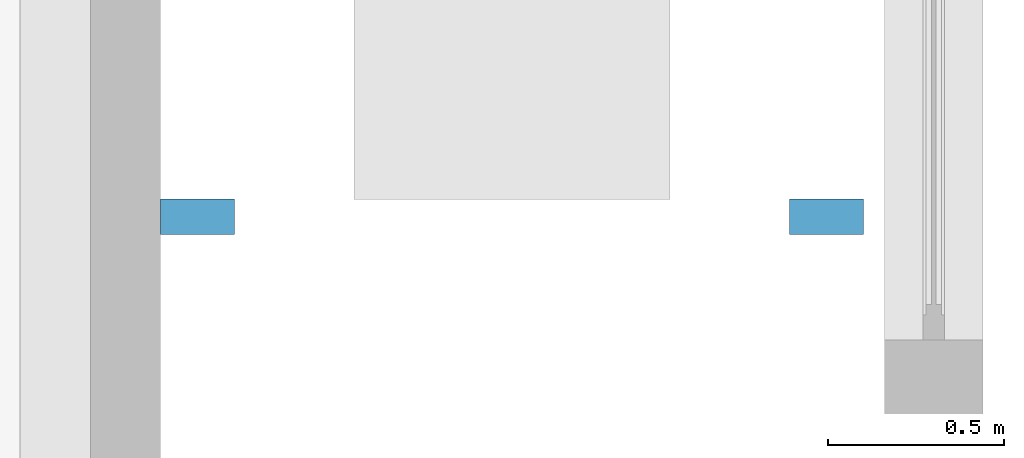
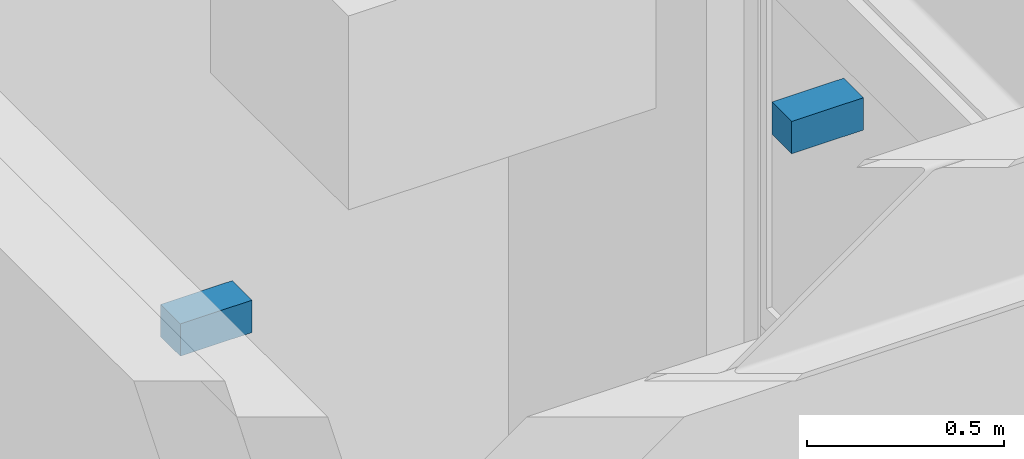
# One storey, part 97 of 123: 2 discrete accessories.
"""IFC4 building model written with IfcOpenShell, lengths in metres."""

from ifc_helpers import new_model, si_unit, direction, frame, origin, origin_2d, place, context, subcontext, project, spatial, rectangle, extrude, material, type_object, element, save


model = new_model("IFC4")

# Units and contexts
model_context = context("Model", 3, precision=1e-05, world=origin(), true_north=direction((0.0, 1.0)))
body_context = subcontext(model_context, "Body", "Model", "MODEL_VIEW")
ifc_project = project(units=[si_unit("LENGTHUNIT", "METRE"), si_unit("AREAUNIT", "SQUARE_METRE"), si_unit("VOLUMEUNIT", "CUBIC_METRE"), si_unit("PLANEANGLEUNIT", "RADIAN"), si_unit("MASSUNIT", "GRAM", prefix="KILO")], contexts=[model_context])

# Site, building, storey
site_placement = place(None, origin())
site = spatial("IfcSite", under=ifc_project, at=site_placement, CompositionType="ELEMENT")
building_placement = place(site_placement, origin())
building = spatial("IfcBuilding", under=site, at=building_placement, Name="Baradari Gate Terminus", CompositionType="ELEMENT")
storey_placement = place(building_placement, frame((0.0, 0.0, 7.5)))
storey = spatial("IfcBuildingStorey", under=building, at=storey_placement, Name="L01", CompositionType="ELEMENT", Elevation=7.5)

# Discrete accessories
ifc_material = material(Name="Steel S355", Category="steel")
discrete_accessory_type = type_object("IfcDiscreteAccessoryType", Name="Lift rail bracket RB-L1 100x100", PredefinedType="BRACKET", material=ifc_material)
for number, where, z_axis, x_axis, name in (
    (1, (240.905029296875, 100.25, 3.25), (0.0, 0.0, 1.0), (1.0, 0.0, 0.0), "Lift rail bracket LH4 1B"),
    (2, (242.695068359375, 100.25, 3.25), (0.0, 0.0, 1.0), (1.0, 0.0, 0.0), "Lift rail bracket LH4 2B"),
):
    element("IfcDiscreteAccessory", number, at=place(storey_placement, frame(where, z_axis=z_axis, x_axis=x_axis)), inside=storey, type_object=discrete_accessory_type, Name=name, PredefinedType="BRACKET", context=body_context, shape_type="SweptSolid", body=[
        extrude(rectangle(XDim=0.2099609375, YDim=0.10009765625, at=origin_2d()), origin(), (0.0, 0.0, 1.0), 0.10009765625),
    ])

save(model, "model.ifc")
